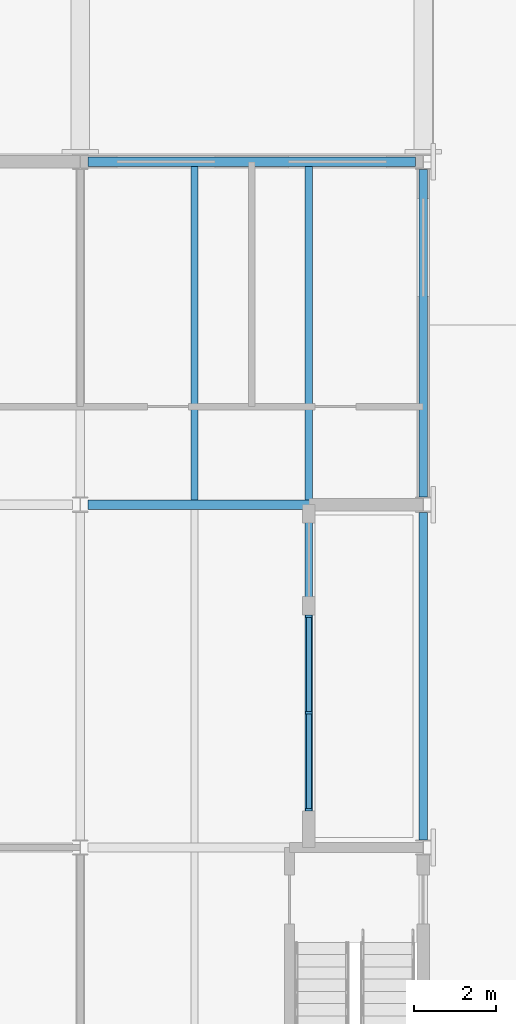
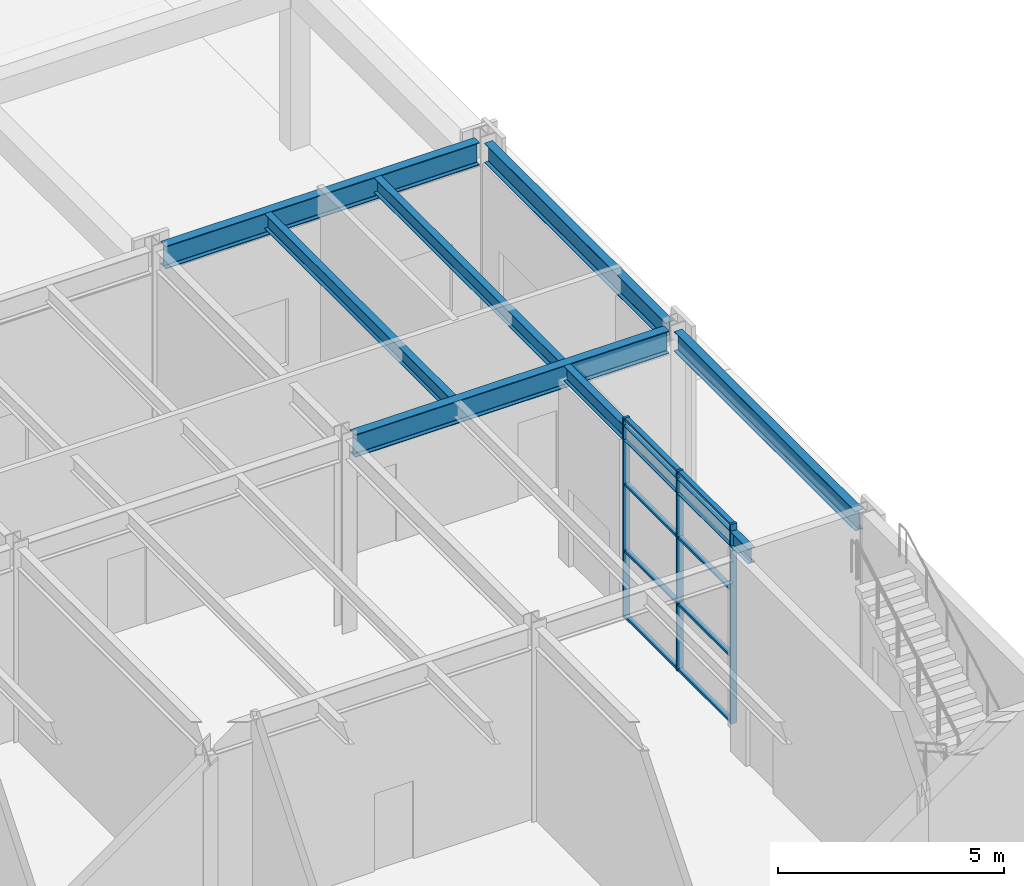
# One storey, part 45 of 127: 11 members, 7 beams, 1 element without a shape of its own.
"""IFC4 building model written with IfcOpenShell, lengths in metres."""

import ifcopenshell
import ifcopenshell.guid

model = None  # the IFC model being written
_history = None  # IfcOwnerHistory: only IFC2X3 demands one
_inside = {}  # id of a spatial element -> (the spatial element, [elements in it])
_under = {}  # id of a project, library or spatial element -> (it, [spatial elements below it])
_declared = {}  # id of a project -> (the project, [libraries it declares])
_typed = {}  # id of a type object -> (the type object, [elements of that type])
_made_of = {}  # id of a material, layer set ... -> (it, [elements and type objects made of it])


def new_model(schema):
    """Start an empty IFC model of exactly this schema.

    Asked for "IFC4X3", IfcOpenShell would pick the latest addendum, in which some entities
    have other attributes; the version numbers below select the first issue.
    IFC2X3 requires an IfcOwnerHistory on every rooted entity: one is made here for all.
    """
    global model, _history
    if schema == "IFC4X3":
        model = ifcopenshell.file(schema_version=(4, 3, 0, 0))
    else:
        model = ifcopenshell.file(schema=schema)
    _inside.clear()
    _under.clear()
    _declared.clear()
    _typed.clear()
    _made_of.clear()
    _history = None
    if model.schema == "IFC2X3":
        org = make("IfcOrganization", Name="unknown")
        user = make(
            "IfcPersonAndOrganization",
            ThePerson=make("IfcPerson", FamilyName="unknown"),
            TheOrganization=org,
        )
        app = make(
            "IfcApplication",
            ApplicationDeveloper=org,
            Version="unknown",
            ApplicationFullName="unknown",
            ApplicationIdentifier="unknown",
        )
        _history = make(
            "IfcOwnerHistory",
            OwningUser=user,
            OwningApplication=app,
            ChangeAction="ADDED",
            CreationDate=0,
        )
    return model


def make(cls, **values):
    """One entity of the class cls with the attributes given. An attribute that is None is left unset."""
    return model.create_entity(
        cls, **{name: value for name, value in values.items() if value is not None}
    )


def rooted(cls, **values):
    """An entity with a GlobalId (a new one), such as an element, a storey or a relation."""
    return make(cls, GlobalId=ifcopenshell.guid.new(), OwnerHistory=_history, **values)


def si_unit(unit_type, name, prefix=None):
    """IfcSIUnit, for example si_unit("LENGTHUNIT", "METRE", prefix="MILLI")."""
    return make("IfcSIUnit", UnitType=unit_type, Prefix=prefix, Name=name)


def assignment(units):
    """IfcUnitAssignment: the units of a project."""
    return None if units is None else make("IfcUnitAssignment", Units=units)


def point(xyz):
    """IfcCartesianPoint."""
    return None if xyz is None else make("IfcCartesianPoint", Coordinates=xyz)


def direction(xyz):
    """IfcDirection."""
    return None if xyz is None else make("IfcDirection", DirectionRatios=xyz)


def frame(location, z_axis=None, x_axis=None):
    """IfcAxis2Placement3D, a coordinate frame: its origin and axes. An axis left out is left unset."""
    return make(
        "IfcAxis2Placement3D",
        Location=point(location),
        Axis=direction(z_axis),
        RefDirection=direction(x_axis),
    )


def frame_2d(location, x_axis=None):
    """IfcAxis2Placement2D, a coordinate frame in the plane: its origin and x axis."""
    return make(
        "IfcAxis2Placement2D", Location=point(location), RefDirection=direction(x_axis)
    )


def origin():
    """The frame at (0, 0, 0) with its axes left unset."""
    return frame((0.0, 0.0, 0.0))


def origin_2d():
    """The frame at (0, 0) in the plane with its x axis left unset."""
    return frame_2d((0.0, 0.0))


def place(relative_to, where):
    """IfcLocalPlacement: puts the frame where relative to a parent placement (None: the world)."""
    return make(
        "IfcLocalPlacement", PlacementRelTo=relative_to, RelativePlacement=where
    )


def context(
    kind, dimensions, precision=None, world=None, true_north=None, identifier=None
):
    """IfcGeometricRepresentationContext, for example the 3D "Model" context."""
    return make(
        "IfcGeometricRepresentationContext",
        ContextIdentifier=identifier,
        ContextType=kind,
        CoordinateSpaceDimension=dimensions,
        Precision=precision,
        WorldCoordinateSystem=world,
        TrueNorth=true_north,
    )


def subcontext(parent, identifier, kind, view, scale=None):
    """IfcGeometricRepresentationSubContext, for example "Body" below "Model"."""
    return make(
        "IfcGeometricRepresentationSubContext",
        ContextIdentifier=identifier,
        ContextType=kind,
        ParentContext=parent,
        TargetScale=scale,
        TargetView=view,
    )


def project(units=None, contexts=None):
    """IfcProject with its units and contexts."""
    return rooted(
        "IfcProject",
        Name="project",
        RepresentationContexts=contexts,
        UnitsInContext=assignment(units),
    )


def spatial(cls, under=None, at=None, **own):
    """A site, building, storey or space (cls), placed at a placement, below another one or the project."""
    s = rooted(cls, ObjectPlacement=at, **own)
    if under is not None:
        _under.setdefault(under.id(), (under, []))[1].append(s)
    return s


def profile(cls, at=None, kind="AREA", **sizes):
    """A parametric profile (cls). Its sizes go by their IFC names, for example OverallWidth=200.0."""
    return make(cls, ProfileType=kind, Position=at, **sizes)


def rectangle(**sizes):
    """IfcRectangleProfileDef."""
    return profile("IfcRectangleProfileDef", **sizes)


def i_section(**sizes):
    """IfcIShapeProfileDef."""
    return profile("IfcIShapeProfileDef", **sizes)


def extrude(swept, where, along, depth):
    """IfcExtrudedAreaSolid: the profile swept, set in the frame where, extruded along a direction by depth."""
    return make(
        "IfcExtrudedAreaSolid",
        SweptArea=swept,
        Position=where,
        ExtrudedDirection=direction(along),
        Depth=depth,
    )


def shape(context_of_items, identifier, shape_type, items):
    """IfcShapeRepresentation: the items that make up one representation, for example the "Body"."""
    return make(
        "IfcShapeRepresentation",
        ContextOfItems=context_of_items,
        RepresentationIdentifier=identifier,
        RepresentationType=shape_type,
        Items=items,
    )


def material(Name=None, Category=None):
    """IfcMaterial."""
    return make("IfcMaterial", Name=Name, Category=Category)


def material_profile(
    of_material, cross_section, Name=None, Category=None, Priority=None
):
    """IfcMaterialProfile: a cross section and its material."""
    return make(
        "IfcMaterialProfile",
        Name=Name,
        Material=of_material,
        Profile=cross_section,
        Priority=Priority,
        Category=Category,
    )


def profile_set(profiles, Name=None, composite=None):
    """IfcMaterialProfileSet."""
    return make(
        "IfcMaterialProfileSet",
        Name=Name,
        MaterialProfiles=profiles,
        CompositeProfile=composite,
    )


def made_of(thing, what):
    """Note that an element or type object is made of a material, layer set ...; save() writes the relation."""
    if what is not None:
        _made_of.setdefault(what.id(), (what, []))[1].append(thing)
    return thing


def type_object(cls, material=None, **own):
    """A type object (cls), such as IfcWallType, which elements share."""
    return made_of(rooted(cls, **own), material)


def element(
    cls,
    number,
    at=None,
    inside=None,
    cuts=None,
    type_object=None,
    material=None,
    context=None,
    identifier="Body",
    shape_type=None,
    held_by="IfcProductDefinitionShape",
    body=None,
    shapes=None,
    **own,
):
    """One element of the class cls, such as IfcWall. Its Tag is "e" and its number.

    at: its placement. inside: the storey or other place that contains it. cuts: it is an
    opening in that element (IfcRelVoidsElement). A single representation is given by context,
    identifier, shape_type and body (its items); several are given by shapes. held_by: the class
    of the entity that holds the representations. save() writes the other relations.
    """
    e = rooted(cls, Tag="e%d" % number, ObjectPlacement=at, **own)
    if body is not None:
        shapes = [shape(context, identifier, shape_type, body)]
    if shapes is not None:
        e.Representation = make(held_by, Representations=shapes)
    if inside is not None:
        _inside.setdefault(inside.id(), (inside, []))[1].append(e)
    if cuts is not None:
        rooted(
            "IfcRelVoidsElement", RelatingBuildingElement=cuts, RelatedOpeningElement=e
        )
    if type_object is not None:
        _typed.setdefault(type_object.id(), (type_object, []))[1].append(e)
    return made_of(e, material)


def aggregate(whole, parts):
    """IfcRelAggregates: a whole, such as a stair, and the parts it consists of."""
    return rooted("IfcRelAggregates", RelatingObject=whole, RelatedObjects=parts)


def save(model, path):
    """Write the relations noted so far, then the file.

    IfcRelAggregates (storeys below a building ...), IfcRelContainedInSpatialStructure (elements
    in a storey), IfcRelDefinesByType, IfcRelAssociatesMaterial and IfcRelDeclares: one each for
    every whole, place, type object, material and project.
    """
    for whole, parts in _under.values():
        aggregate(whole, parts)
    for where, things in _inside.values():
        rooted(
            "IfcRelContainedInSpatialStructure",
            RelatedElements=things,
            RelatingStructure=where,
        )
    for kind, things in _typed.values():
        rooted("IfcRelDefinesByType", RelatedObjects=things, RelatingType=kind)
    for what, things in _made_of.values():
        rooted("IfcRelAssociatesMaterial", RelatedObjects=things, RelatingMaterial=what)
    for by, libraries in _declared.values():
        rooted("IfcRelDeclares", RelatingContext=by, RelatedDefinitions=libraries)
    model.write(path)


model = new_model("IFC4")

# Units and contexts
model_context = context("Model", 3, precision=1e-05, world=origin(), true_north=direction((0.0, 1.0)))
body_context = subcontext(model_context, "Body", "Model", "MODEL_VIEW")
ifc_project = project(units=[si_unit("LENGTHUNIT", "METRE"), si_unit("AREAUNIT", "SQUARE_METRE"), si_unit("VOLUMEUNIT", "CUBIC_METRE"), si_unit("PLANEANGLEUNIT", "RADIAN"), si_unit("MASSUNIT", "GRAM", prefix="KILO")], contexts=[model_context])

# Site, building, storey
site_placement = place(None, origin())
site = spatial("IfcSite", under=ifc_project, at=site_placement, CompositionType="ELEMENT")
building_placement = place(site_placement, origin())
building = spatial("IfcBuilding", under=site, at=building_placement, Name="Ljudholm Concert House", CompositionType="ELEMENT")
storey_placement = place(building_placement, origin())
storey = spatial("IfcBuildingStorey", under=building, at=storey_placement, Name="L00", CompositionType="ELEMENT", Elevation=0.0)

# Curtain wall, members
ifc_material_1 = material(Name="Aluminium curtain wall with impact-rated laminated glass", Category="aluminium")
curtain_wall_type = type_object("IfcCurtainWallType", Name="CURTAIN WALL 2400", PredefinedType="NOTDEFINED", material=ifc_material_1)
curtain_wall_placement = place(storey_placement, origin())
curtain_wall = element("IfcCurtainWall", 1, at=curtain_wall_placement, inside=storey, type_object=curtain_wall_type, Name="Curtain wall", PredefinedType="NOTDEFINED")
ifc_material_2 = material(Name="Aluminium extrusion", Category="aluminium")
ifc_material_profile_1 = material_profile(ifc_material_2, rectangle(XDim=0.159912109375, YDim=0.06005859375, at=origin_2d()), Name="MULLION 60x160")
ifc_profile_set_1 = profile_set([ifc_material_profile_1], Name="Aluminium extrusion")
member_type_1 = type_object("IfcMemberType", Name="MULLION 60x160", PredefinedType="MULLION", material=ifc_profile_set_1)
member_1_placement = place(storey_placement, frame((118.800048828125, 114.1298828125, 0.0), z_axis=(0.0, 0.0, 1.0), x_axis=(-1.0, 0.0, 0.0)))
member_1 = element("IfcMember", 2, at=member_1_placement, type_object=member_type_1, Name="Mullion", PredefinedType="MULLION", context=body_context, shape_type="SweptSolid", body=[
    extrude(rectangle(XDim=0.159912109375, YDim=0.06005859375, at=origin_2d()), origin(), (0.0, 0.0, 1.0), 5.39990234375),
])
member_2_placement = place(storey_placement, frame((118.800048828125, 116.5, 0.0), z_axis=(0.0, 0.0, 1.0), x_axis=(-1.0, 0.0, 0.0)))
member_2 = element("IfcMember", 3, at=member_2_placement, type_object=member_type_1, Name="Mullion", PredefinedType="MULLION", context=body_context, shape_type="SweptSolid", body=[
    extrude(rectangle(XDim=0.159912109375, YDim=0.06005859375, at=origin_2d()), origin(), (0.0, 0.0, 1.0), 5.39990234375),
])
member_3_placement = place(storey_placement, frame((118.800048828125, 118.8701171875, 0.0), z_axis=(0.0, 0.0, 1.0), x_axis=(-1.0, 0.0, 0.0)))
member_3 = element("IfcMember", 4, at=member_3_placement, type_object=member_type_1, Name="Mullion", PredefinedType="MULLION", context=body_context, shape_type="SweptSolid", body=[
    extrude(rectangle(XDim=0.159912109375, YDim=0.06005859375, at=origin_2d()), origin(), (0.0, 0.0, 1.0), 5.39990234375),
])

# Beams
ifc_material_3 = material(Name="Steel ASTM A992", Category="steel")
ifc_material_profile_2 = material_profile(ifc_material_3, i_section(OverallWidth=0.177734375, OverallDepth=0.406494140625, WebThickness=0.0078125, FlangeThickness=0.012939453125, FilletRadius=0.01025390625, at=origin_2d()), Name="W16X40")
ifc_profile_set_2 = profile_set([ifc_material_profile_2], Name="Steel ASTM A992")
beam_type_1 = type_object("IfcBeamType", Name="STEEL BEAM W16X40", PredefinedType="BEAM", material=ifc_profile_set_2)
for number, where, z_axis, x_axis, name in (
    (5, (118.800048828125, 113.314453125, 5.016845703125), (0.0, 1.0, 0.0), (-1.0, 0.0, 0.0), "Beam STUDIO-L01-sb-118.8-113.2"),
    (6, (116.0, 121.714599609375, 5.016845703125), (0.0, 1.0, 0.0), (-1.0, 0.0, 0.0), "Beam STUDIO-L01-sb-116-121.6"),
    (7, (118.800048828125, 121.714599609375, 5.016845703125), (0.0, 1.0, 0.0), (-1.0, 0.0, 0.0), "Beam STUDIO-L01-sb-118.8-121.6"),
):
    element("IfcBeam", number, at=place(storey_placement, frame(where, z_axis=z_axis, x_axis=x_axis)), inside=storey, type_object=beam_type_1, Name=name, PredefinedType="BEAM", context=body_context, shape_type="SweptSolid", body=[
        extrude(i_section(OverallWidth=0.177734375, OverallDepth=0.406494140625, WebThickness=0.0078125, FlangeThickness=0.012939453125, FilletRadius=0.01025390625, at=origin_2d()), origin(), (0.0, 0.0, 1.0), 8.1708984375),
    ])
ifc_material_4 = material(Name="Steel ASTM A992", Category="steel")
ifc_material_profile_3 = material_profile(ifc_material_4, i_section(OverallWidth=0.209228515625, OverallDepth=0.533447265625, WebThickness=0.01025390625, FlangeThickness=0.015625, FilletRadius=0.012939453125, at=origin_2d()), Name="W21X62")
ifc_profile_set_3 = profile_set([ifc_material_profile_3], Name="Steel ASTM A992")
beam_type_2 = type_object("IfcBeamType", Name="STEEL BEAM W21X62", PredefinedType="BEAM", material=ifc_profile_set_3)
for number, where, z_axis, x_axis, name in (
    (8, (121.60009765625, 113.38671875, 4.953369140625), (0.0, 1.0, 0.0), (-1.0, 0.0, 0.0), "Beam STUDIO-L01-gy-121.6-113.2"),
    (9, (121.60009765625, 121.78662109375, 4.953369140625), (0.0, 1.0, 0.0), (-1.0, 0.0, 0.0), "Beam STUDIO-L01-gy-121.6-121.6"),
):
    element("IfcBeam", number, at=place(storey_placement, frame(where, z_axis=z_axis, x_axis=x_axis)), inside=storey, type_object=beam_type_2, Name=name, PredefinedType="BEAM", context=body_context, shape_type="SweptSolid", body=[
        extrude(i_section(OverallWidth=0.209228515625, OverallDepth=0.533447265625, WebThickness=0.01025390625, FlangeThickness=0.015625, FilletRadius=0.012939453125, at=origin_2d()), origin(), (0.0, 0.0, 1.0), 8.026611328125),
    ])
ifc_material_5 = material(Name="Steel ASTM A992", Category="steel")
ifc_material_profile_4 = material_profile(ifc_material_5, i_section(OverallWidth=0.22900390625, OverallDepth=0.612060546875, WebThickness=0.011962890625, FlangeThickness=0.01953125, FilletRadius=0.0126953125, at=origin_2d()), Name="W24X84")
ifc_profile_set_4 = profile_set([ifc_material_profile_4], Name="Steel ASTM A992")
beam_type_3 = type_object("IfcBeamType", Name="STEEL BEAM W24X84", PredefinedType="BEAM", material=ifc_profile_set_4)
for number, where, z_axis, x_axis, name in (
    (10, (113.38671875, 121.60009765625, 4.913818359375), (1.0, 0.0, 0.0), (0.0, 1.0, 0.0), "Beam STUDIO-L01-gx-113.2-121.6"),
    (11, (113.38671875, 130.0, 4.913818359375), (1.0, 0.0, 0.0), (0.0, 1.0, 0.0), "Beam STUDIO-L01-gx-113.2-130"),
):
    element("IfcBeam", number, at=place(storey_placement, frame(where, z_axis=z_axis, x_axis=x_axis)), inside=storey, type_object=beam_type_3, Name=name, PredefinedType="BEAM", context=body_context, shape_type="SweptSolid", body=[
        extrude(i_section(OverallWidth=0.22900390625, OverallDepth=0.612060546875, WebThickness=0.011962890625, FlangeThickness=0.01953125, FilletRadius=0.0126953125, at=origin_2d()), origin(), (0.0, 0.0, 1.0), 8.026611328125),
    ])

# Member
ifc_material_6 = material(Name="Aluminium extrusion", Category="aluminium")
ifc_material_profile_5 = material_profile(ifc_material_6, rectangle(XDim=0.1201171875, YDim=0.06005859375, at=origin_2d()), Name="TRANSOM 60x120")
ifc_profile_set_5 = profile_set([ifc_material_profile_5], Name="Aluminium extrusion")
member_type_2 = type_object("IfcMemberType", Name="TRANSOM 60x120", PredefinedType="USERDEFINED", material=ifc_profile_set_5)
member_4_placement = place(storey_placement, frame((118.800048828125, 114.159912109375, 0.030029296875), z_axis=(0.0, 1.0, 0.0), x_axis=(-1.0, 0.0, 0.0)))
member_4 = element("IfcMember", 12, at=member_4_placement, type_object=member_type_2, Name="Transom", ObjectType="TRANSOM", PredefinedType="USERDEFINED", context=body_context, shape_type="SweptSolid", body=[
    extrude(rectangle(XDim=0.1201171875, YDim=0.06005859375, at=origin_2d()), origin(), (0.0, 0.0, 1.0), 2.31005859375),
])

member_5_placement = place(storey_placement, frame((118.800048828125, 114.159912109375, 1.800048828125), z_axis=(0.0, 1.0, 0.0), x_axis=(-1.0, 0.0, 0.0)))
member_5 = element("IfcMember", 13, at=member_5_placement, type_object=member_type_2, Name="Transom", ObjectType="TRANSOM", PredefinedType="USERDEFINED", context=body_context, shape_type="SweptSolid", body=[
    extrude(rectangle(XDim=0.1201171875, YDim=0.06005859375, at=origin_2d()), origin(), (0.0, 0.0, 1.0), 2.31005859375),
])

member_6_placement = place(storey_placement, frame((118.800048828125, 114.159912109375, 3.60009765625), z_axis=(0.0, 1.0, 0.0), x_axis=(-1.0, 0.0, 0.0)))
member_6 = element("IfcMember", 14, at=member_6_placement, type_object=member_type_2, Name="Transom", ObjectType="TRANSOM", PredefinedType="USERDEFINED", context=body_context, shape_type="SweptSolid", body=[
    extrude(rectangle(XDim=0.1201171875, YDim=0.06005859375, at=origin_2d()), origin(), (0.0, 0.0, 1.0), 2.31005859375),
])

member_7_placement = place(storey_placement, frame((118.800048828125, 114.159912109375, 5.3701171875), z_axis=(0.0, 1.0, 0.0), x_axis=(-1.0, 0.0, 0.0)))
member_7 = element("IfcMember", 15, at=member_7_placement, type_object=member_type_2, Name="Transom", ObjectType="TRANSOM", PredefinedType="USERDEFINED", context=body_context, shape_type="SweptSolid", body=[
    extrude(rectangle(XDim=0.1201171875, YDim=0.06005859375, at=origin_2d()), origin(), (0.0, 0.0, 1.0), 2.31005859375),
])

member_8_placement = place(storey_placement, frame((118.800048828125, 116.530029296875, 0.030029296875), z_axis=(0.0, 1.0, 0.0), x_axis=(-1.0, 0.0, 0.0)))
member_8 = element("IfcMember", 16, at=member_8_placement, type_object=member_type_2, Name="Transom", ObjectType="TRANSOM", PredefinedType="USERDEFINED", context=body_context, shape_type="SweptSolid", body=[
    extrude(rectangle(XDim=0.1201171875, YDim=0.06005859375, at=origin_2d()), origin(), (0.0, 0.0, 1.0), 2.31005859375),
])

member_9_placement = place(storey_placement, frame((118.800048828125, 116.530029296875, 1.800048828125), z_axis=(0.0, 1.0, 0.0), x_axis=(-1.0, 0.0, 0.0)))
member_9 = element("IfcMember", 17, at=member_9_placement, type_object=member_type_2, Name="Transom", ObjectType="TRANSOM", PredefinedType="USERDEFINED", context=body_context, shape_type="SweptSolid", body=[
    extrude(rectangle(XDim=0.1201171875, YDim=0.06005859375, at=origin_2d()), origin(), (0.0, 0.0, 1.0), 2.31005859375),
])

member_10_placement = place(storey_placement, frame((118.800048828125, 116.530029296875, 3.60009765625), z_axis=(0.0, 1.0, 0.0), x_axis=(-1.0, 0.0, 0.0)))
member_10 = element("IfcMember", 18, at=member_10_placement, type_object=member_type_2, Name="Transom", ObjectType="TRANSOM", PredefinedType="USERDEFINED", context=body_context, shape_type="SweptSolid", body=[
    extrude(rectangle(XDim=0.1201171875, YDim=0.06005859375, at=origin_2d()), origin(), (0.0, 0.0, 1.0), 2.31005859375),
])

member_11_placement = place(storey_placement, frame((118.800048828125, 116.530029296875, 5.3701171875), z_axis=(0.0, 1.0, 0.0), x_axis=(-1.0, 0.0, 0.0)))
member_11 = element("IfcMember", 19, at=member_11_placement, type_object=member_type_2, Name="Transom", ObjectType="TRANSOM", PredefinedType="USERDEFINED", context=body_context, shape_type="SweptSolid", body=[
    extrude(rectangle(XDim=0.1201171875, YDim=0.06005859375, at=origin_2d()), origin(), (0.0, 0.0, 1.0), 2.31005859375),
])

aggregate(curtain_wall, [member_1, member_2, member_3, member_4, member_5, member_6, member_7, member_8, member_9, member_10, member_11])

save(model, "model.ifc")
